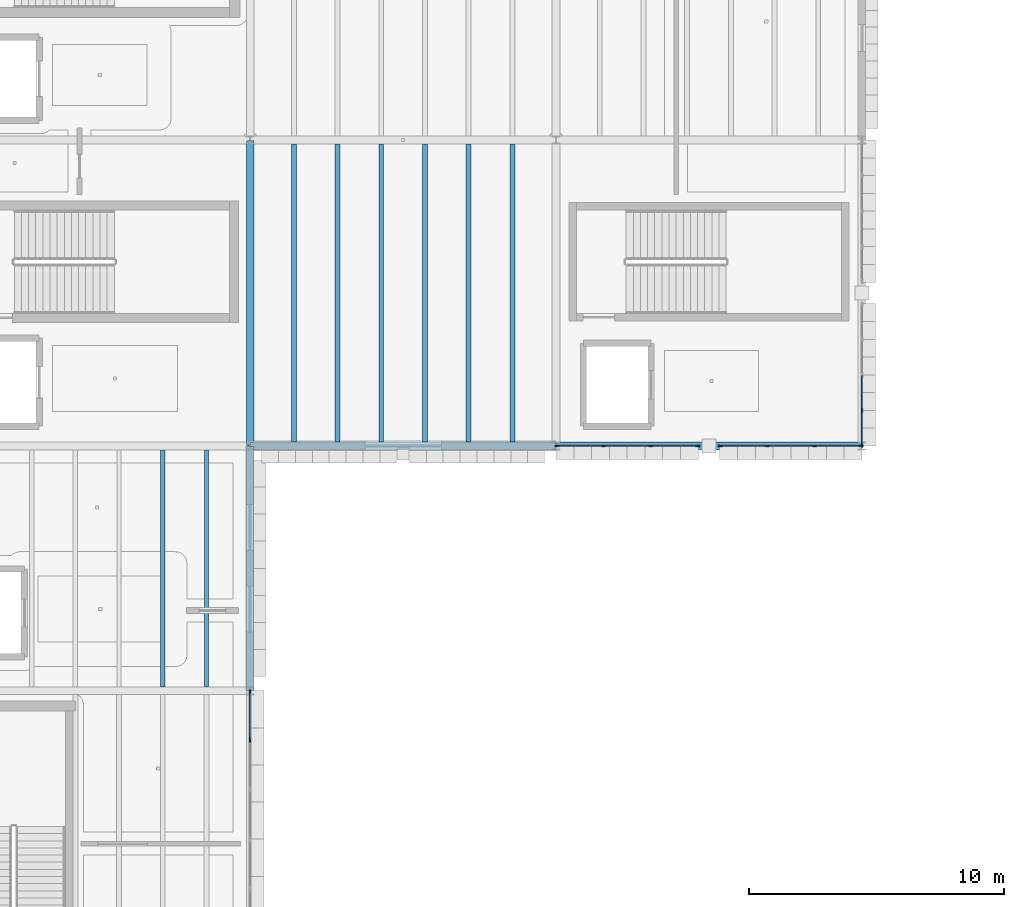
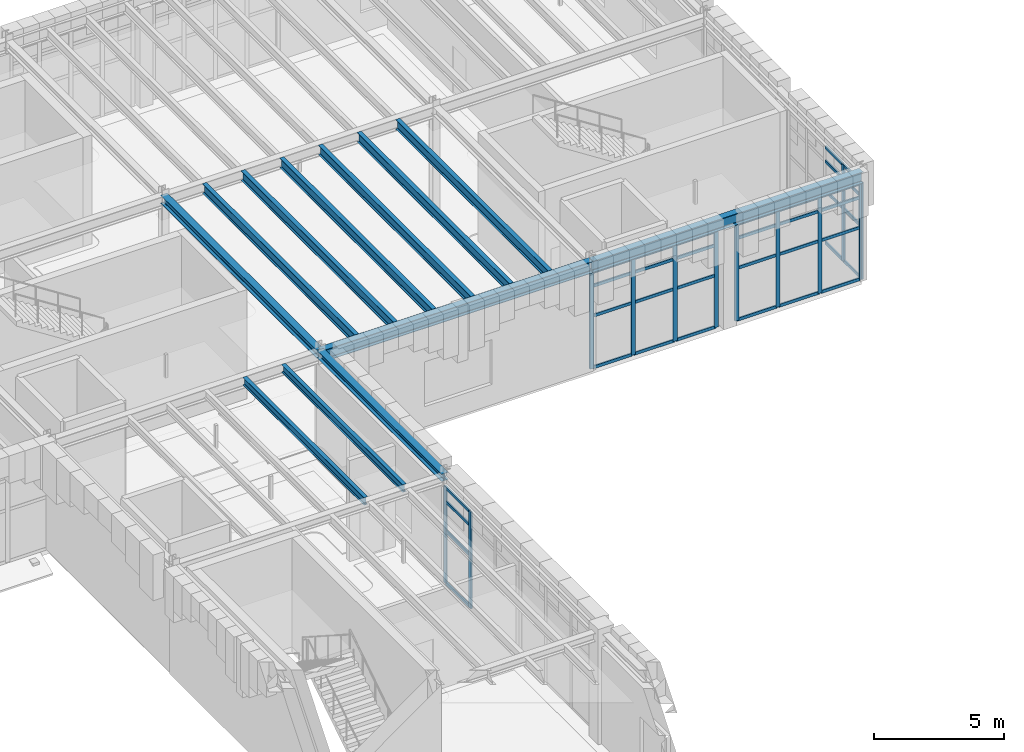
# One storey, part 41 of 100: 48 members, 12 beams, 4 elements without a shape of their own.
"""IFC4 building model written with IfcOpenShell, lengths in metres."""

from ifc_helpers import new_model, si_unit, direction, frame, origin, origin_2d, place, context, subcontext, project, spatial, rectangle, i_section, extrude, material, layer, layer_set, material_profile, profile_set, type_object, element, aggregate, save


model = new_model("IFC4")

# Units and contexts
model_context = context("Model", 3, precision=1e-05, world=origin(), true_north=direction((0.0, 1.0)))
body_context = subcontext(model_context, "Body", "Model", "MODEL_VIEW")
ifc_project = project(units=[si_unit("LENGTHUNIT", "METRE"), si_unit("AREAUNIT", "SQUARE_METRE"), si_unit("VOLUMEUNIT", "CUBIC_METRE"), si_unit("PLANEANGLEUNIT", "RADIAN"), si_unit("MASSUNIT", "GRAM", prefix="KILO")], contexts=[model_context])

# Site, building, storey
site_placement = place(None, origin())
site = spatial("IfcSite", under=ifc_project, at=site_placement, CompositionType="ELEMENT")
building_placement = place(site_placement, origin())
building = spatial("IfcBuilding", under=site, at=building_placement, Name="Zlatogorsky Bluff Art Gallery", CompositionType="ELEMENT")
storey_placement = place(building_placement, frame((0.0, 0.0, 5.39990234375)))
storey = spatial("IfcBuildingStorey", under=building, at=storey_placement, Name="L01", CompositionType="ELEMENT", Elevation=5.39990234375)

# Beams
ifc_material_1 = material(Name="Steel S355", Category="steel")
ifc_material_profile_1 = material_profile(ifc_material_1, i_section(OverallWidth=0.300048828125, OverallDepth=0.5400390625, WebThickness=0.012451171875, FlangeThickness=0.02392578125, FilletRadius=0.027099609375, at=origin_2d()), Name="HEA 550")
ifc_profile_set_1 = profile_set([ifc_material_profile_1], Name="Steel S355")
beam_type_1 = type_object("IfcBeamType", Name="Beam BM-06 HEA 550", PredefinedType="BEAM", material=ifc_profile_set_1)
for number, where, z_axis, x_axis, name in (
    (1, (132.014892578125, 84.0, 4.840087890625), (1.0, 0.0, 0.0), (0.0, 1.0, 0.0), "Primary girder BM-06 L01 M-N/9"),
    (2, (144.014892578125, 84.0, 4.840087890625), (1.0, 0.0, 0.0), (0.0, 1.0, 0.0), "Primary girder BM-06 L01 N-P/9"),
):
    element("IfcBeam", number, at=place(storey_placement, frame(where, z_axis=z_axis, x_axis=x_axis)), inside=storey, type_object=beam_type_1, Name=name, PredefinedType="BEAM", context=body_context, shape_type="SweptSolid", body=[
        extrude(i_section(OverallWidth=0.300048828125, OverallDepth=0.5400390625, WebThickness=0.012451171875, FlangeThickness=0.02392578125, FilletRadius=0.027099609375, at=origin_2d()), origin(), (0.0, 0.0, 1.0), 11.97021484375),
    ])
ifc_material_profile_2 = material_profile(ifc_material_1, i_section(OverallWidth=0.300048828125, OverallDepth=0.389892578125, WebThickness=0.010986328125, FlangeThickness=0.01904296875, FilletRadius=0.027099609375, at=origin_2d()), Name="HEA 400")
ifc_profile_set_2 = profile_set([ifc_material_profile_2], Name="Steel S355")
beam_type_2 = type_object("IfcBeamType", Name="Beam BM-09 HEA 400", PredefinedType="BEAM", material=ifc_profile_set_2)
beam_1_placement = place(storey_placement, frame((132.0, 84.014892578125, 4.9150390625), z_axis=(0.0, 1.0, 0.0), x_axis=(-1.0, 0.0, 0.0)))
element("IfcBeam", 3, at=beam_1_placement, inside=storey, type_object=beam_type_2, Name="Primary girder BM-09 L01 M/9-10", PredefinedType="BEAM", context=body_context, shape_type="SweptSolid", body=[
    extrude(i_section(OverallWidth=0.300048828125, OverallDepth=0.389892578125, WebThickness=0.010986328125, FlangeThickness=0.01904296875, FilletRadius=0.027099609375, at=origin_2d()), origin(), (0.0, 0.0, 1.0), 11.97021484375),
])
ifc_material_profile_3 = material_profile(ifc_material_1, i_section(OverallWidth=0.300048828125, OverallDepth=0.35009765625, WebThickness=0.010009765625, FlangeThickness=0.017578125, FilletRadius=0.027099609375, at=origin_2d()), Name="HEA 360")
ifc_profile_set_3 = profile_set([ifc_material_profile_3], Name="Steel S355")
beam_type_3 = type_object("IfcBeamType", Name="Beam BM-10 HEA 360", PredefinedType="BEAM", material=ifc_profile_set_3)
beam_2_placement = place(storey_placement, frame((132.0, 74.4150390625, 4.93505859375), z_axis=(0.0, 1.0, 0.0), x_axis=(-1.0, 0.0, 0.0)))
element("IfcBeam", 4, at=beam_2_placement, inside=storey, type_object=beam_type_3, Name="Primary girder BM-10 L01 M/8-9", PredefinedType="BEAM", context=body_context, shape_type="SweptSolid", body=[
    extrude(i_section(OverallWidth=0.300048828125, OverallDepth=0.35009765625, WebThickness=0.010009765625, FlangeThickness=0.017578125, FilletRadius=0.027099609375, at=origin_2d()), origin(), (0.0, 0.0, 1.0), 9.570068359375),
])
ifc_material_profile_4 = material_profile(ifc_material_1, i_section(OverallWidth=0.169921875, OverallDepth=0.360107421875, WebThickness=0.008056640625, FlangeThickness=0.0126953125, FilletRadius=0.01806640625, at=origin_2d()), Name="IPE 360")
ifc_profile_set_4 = profile_set([ifc_material_profile_4], Name="Steel S355")
beam_type_4 = type_object("IfcBeamType", Name="Beam JS-04 IPE 360", PredefinedType="JOIST", material=ifc_profile_set_4)
for number, where, z_axis, x_axis, name in (
    (5, (128.571533203125, 74.550048828125, 4.93017578125), (0.0, 1.0, 0.0), (-1.0, 0.0, 0.0), "Composite floor joist JS-04 L01 10.07.5"),
    (6, (130.28564453125, 74.550048828125, 4.93017578125), (0.0, 1.0, 0.0), (-1.0, 0.0, 0.0), "Composite floor joist JS-04 L01 10.07.6"),
):
    element("IfcBeam", number, at=place(storey_placement, frame(where, z_axis=z_axis, x_axis=x_axis)), inside=storey, type_object=beam_type_4, Name=name, PredefinedType="JOIST", context=body_context, shape_type="SweptSolid", body=[
        extrude(i_section(OverallWidth=0.169921875, OverallDepth=0.360107421875, WebThickness=0.008056640625, FlangeThickness=0.0126953125, FilletRadius=0.01806640625, at=origin_2d()), origin(), (0.0, 0.0, 1.0), 9.300048828125),
    ])
ifc_material_profile_5 = material_profile(ifc_material_1, i_section(OverallWidth=0.18994140625, OverallDepth=0.449951171875, WebThickness=0.009521484375, FlangeThickness=0.0146484375, FilletRadius=0.02099609375, at=origin_2d()), Name="IPE 450")
ifc_profile_set_5 = profile_set([ifc_material_profile_5], Name="Steel S355")
beam_type_5 = type_object("IfcBeamType", Name="Beam JS-06 IPE 450", PredefinedType="JOIST", material=ifc_profile_set_5)
for number, where, z_axis, x_axis, name in (
    (7, (133.71435546875, 84.14990234375, 4.885009765625), (0.0, 1.0, 0.0), (-1.0, 0.0, 0.0), "Composite floor joist JS-06 L01 11.08.1"),
    (8, (135.428466796875, 84.14990234375, 4.885009765625), (0.0, 1.0, 0.0), (-1.0, 0.0, 0.0), "Composite floor joist JS-06 L01 11.08.2"),
    (9, (137.142822265625, 84.14990234375, 4.885009765625), (0.0, 1.0, 0.0), (-1.0, 0.0, 0.0), "Composite floor joist JS-06 L01 11.08.3"),
    (10, (138.857177734375, 84.14990234375, 4.885009765625), (0.0, 1.0, 0.0), (-1.0, 0.0, 0.0), "Composite floor joist JS-06 L01 11.08.4"),
    (11, (140.571533203125, 84.14990234375, 4.885009765625), (0.0, 1.0, 0.0), (-1.0, 0.0, 0.0), "Composite floor joist JS-06 L01 11.08.5"),
    (12, (142.28564453125, 84.14990234375, 4.885009765625), (0.0, 1.0, 0.0), (-1.0, 0.0, 0.0), "Composite floor joist JS-06 L01 11.08.6"),
):
    element("IfcBeam", number, at=place(storey_placement, frame(where, z_axis=z_axis, x_axis=x_axis)), inside=storey, type_object=beam_type_5, Name=name, PredefinedType="JOIST", context=body_context, shape_type="SweptSolid", body=[
        extrude(i_section(OverallWidth=0.18994140625, OverallDepth=0.449951171875, WebThickness=0.009521484375, FlangeThickness=0.0146484375, FilletRadius=0.02099609375, at=origin_2d()), origin(), (0.0, 0.0, 1.0), 11.7001953125),
    ])

# Curtain wall, members
ifc_material_2 = material(Name="Anodised Bronze Aluminium and Low-Iron Triple Glazing", Category="aluminium")
ifc_layer_1 = layer(ifc_material_2, 0.219970703125)
ifc_layer_set_1 = layer_set([ifc_layer_1], Name="Curtain Wall CW-04")
curtain_wall_type_1 = type_object("IfcCurtainWallType", Name="Curtain Wall CW-04", PredefinedType="USERDEFINED", material=ifc_layer_set_1)
curtain_wall_1_placement = place(storey_placement, origin())
curtain_wall_1 = element("IfcCurtainWall", 13, at=curtain_wall_1_placement, inside=storey, type_object=curtain_wall_type_1, Name="Unitised curtain wall CW-04 L01 E 10.6", ObjectType="CURTAIN WALL", PredefinedType="USERDEFINED")
ifc_material_3 = material(Name="Anodised Bronze Aluminium", Category="aluminium")
ifc_material_profile_6 = material_profile(ifc_material_3, rectangle(XDim=0.06494140625, YDim=0.179931640625, at=origin_2d()), Name="ALU MULLION 65x180")
ifc_profile_set_6 = profile_set([ifc_material_profile_6], Name="Anodised Bronze Aluminium")
member_type_1 = type_object("IfcMemberType", Name="Curtain Mullion ML-01", PredefinedType="MULLION", material=ifc_profile_set_6)
member_1_placement = place(storey_placement, frame((132.0, 72.45751953125, 0.0), z_axis=(0.0, 0.0, 1.0), x_axis=(-1.0, 0.0, 0.0)))
member_1 = element("IfcMember", 14, at=member_1_placement, type_object=member_type_1, Name="CW-04 mullion 6", PredefinedType="MULLION", context=body_context, shape_type="SweptSolid", body=[
    extrude(rectangle(XDim=0.06494140625, YDim=0.179931640625, at=origin_2d()), origin(), (0.0, 0.0, 1.0), 4.530029296875),
])
member_2_placement = place(storey_placement, frame((132.0, 74.367431640625, 0.0), z_axis=(0.0, 0.0, 1.0), x_axis=(-1.0, 0.0, 0.0)))
member_2 = element("IfcMember", 15, at=member_2_placement, type_object=member_type_1, Name="CW-04 mullion 7", PredefinedType="MULLION", context=body_context, shape_type="SweptSolid", body=[
    extrude(rectangle(XDim=0.06494140625, YDim=0.179931640625, at=origin_2d()), origin(), (0.0, 0.0, 1.0), 4.530029296875),
])

curtain_wall_2_placement = place(storey_placement, origin())
curtain_wall_2 = element("IfcCurtainWall", 16, at=curtain_wall_2_placement, inside=storey, type_object=curtain_wall_type_1, Name="Unitised curtain wall CW-04 L01 S 12.8-A", ObjectType="CURTAIN WALL", PredefinedType="USERDEFINED")
member_3_placement = place(storey_placement, frame((144.032470703125, 84.0, 0.0), z_axis=(0.0, 0.0, 1.0), x_axis=(0.0, 1.0, 0.0)))
member_3 = element("IfcMember", 17, at=member_3_placement, type_object=member_type_1, Name="CW-04 mullion 1", PredefinedType="MULLION", context=body_context, shape_type="SweptSolid", body=[
    extrude(rectangle(XDim=0.06494140625, YDim=0.179931640625, at=origin_2d()), origin(), (0.0, 0.0, 1.0), 4.530029296875),
])
member_4_placement = place(storey_placement, frame((145.860107421875, 84.0, 0.0), z_axis=(0.0, 0.0, 1.0), x_axis=(0.0, 1.0, 0.0)))
member_4 = element("IfcMember", 18, at=member_4_placement, type_object=member_type_1, Name="CW-04 mullion 2", PredefinedType="MULLION", context=body_context, shape_type="SweptSolid", body=[
    extrude(rectangle(XDim=0.06494140625, YDim=0.179931640625, at=origin_2d()), origin(), (0.0, 0.0, 1.0), 4.530029296875),
])
member_5_placement = place(storey_placement, frame((147.719970703125, 84.0, 0.0), z_axis=(0.0, 0.0, 1.0), x_axis=(0.0, 1.0, 0.0)))
member_5 = element("IfcMember", 19, at=member_5_placement, type_object=member_type_1, Name="CW-04 mullion 3", PredefinedType="MULLION", context=body_context, shape_type="SweptSolid", body=[
    extrude(rectangle(XDim=0.06494140625, YDim=0.179931640625, at=origin_2d()), origin(), (0.0, 0.0, 1.0), 4.530029296875),
])
member_6_placement = place(storey_placement, frame((149.547607421875, 84.0, 0.0), z_axis=(0.0, 0.0, 1.0), x_axis=(0.0, 1.0, 0.0)))
member_6 = element("IfcMember", 20, at=member_6_placement, type_object=member_type_1, Name="CW-04 mullion 4", PredefinedType="MULLION", context=body_context, shape_type="SweptSolid", body=[
    extrude(rectangle(XDim=0.06494140625, YDim=0.179931640625, at=origin_2d()), origin(), (0.0, 0.0, 1.0), 4.530029296875),
])

curtain_wall_3_placement = place(storey_placement, origin())
curtain_wall_3 = element("IfcCurtainWall", 21, at=curtain_wall_3_placement, inside=storey, type_object=curtain_wall_type_1, Name="Unitised curtain wall CW-04 L01 S 12.8-B", ObjectType="CURTAIN WALL", PredefinedType="USERDEFINED")
member_7_placement = place(storey_placement, frame((150.452392578125, 84.0, 0.0), z_axis=(0.0, 0.0, 1.0), x_axis=(0.0, 1.0, 0.0)))
member_7 = element("IfcMember", 22, at=member_7_placement, type_object=member_type_1, Name="CW-04 mullion 1", PredefinedType="MULLION", context=body_context, shape_type="SweptSolid", body=[
    extrude(rectangle(XDim=0.06494140625, YDim=0.179931640625, at=origin_2d()), origin(), (0.0, 0.0, 1.0), 4.530029296875),
])
member_8_placement = place(storey_placement, frame((152.280029296875, 84.0, 0.0), z_axis=(0.0, 0.0, 1.0), x_axis=(0.0, 1.0, 0.0)))
member_8 = element("IfcMember", 23, at=member_8_placement, type_object=member_type_1, Name="CW-04 mullion 2", PredefinedType="MULLION", context=body_context, shape_type="SweptSolid", body=[
    extrude(rectangle(XDim=0.06494140625, YDim=0.179931640625, at=origin_2d()), origin(), (0.0, 0.0, 1.0), 4.530029296875),
])
member_9_placement = place(storey_placement, frame((154.139892578125, 84.0, 0.0), z_axis=(0.0, 0.0, 1.0), x_axis=(0.0, 1.0, 0.0)))
member_9 = element("IfcMember", 24, at=member_9_placement, type_object=member_type_1, Name="CW-04 mullion 3", PredefinedType="MULLION", context=body_context, shape_type="SweptSolid", body=[
    extrude(rectangle(XDim=0.06494140625, YDim=0.179931640625, at=origin_2d()), origin(), (0.0, 0.0, 1.0), 4.530029296875),
])
member_10_placement = place(storey_placement, frame((155.967529296875, 84.0, 0.0), z_axis=(0.0, 0.0, 1.0), x_axis=(0.0, 1.0, 0.0)))
member_10 = element("IfcMember", 25, at=member_10_placement, type_object=member_type_1, Name="CW-04 mullion 4", PredefinedType="MULLION", context=body_context, shape_type="SweptSolid", body=[
    extrude(rectangle(XDim=0.06494140625, YDim=0.179931640625, at=origin_2d()), origin(), (0.0, 0.0, 1.0), 4.530029296875),
])

ifc_layer_2 = layer(ifc_material_2, 0.199951171875)
ifc_layer_set_2 = layer_set([ifc_layer_2], Name="Curtain Wall CW-02")
curtain_wall_type_2 = type_object("IfcCurtainWallType", Name="Curtain Wall CW-02", PredefinedType="USERDEFINED", material=ifc_layer_set_2)
curtain_wall_4_placement = place(storey_placement, origin())
curtain_wall_4 = element("IfcCurtainWall", 26, at=curtain_wall_4_placement, inside=storey, type_object=curtain_wall_type_2, Name="Unitised curtain wall CW-02 L01 E 12.8-A", ObjectType="CURTAIN WALL", PredefinedType="USERDEFINED")
member_11_placement = place(storey_placement, frame((156.0, 84.032470703125, 0.0), z_axis=(0.0, 0.0, 1.0), x_axis=(-1.0, 0.0, 0.0)))
member_11 = element("IfcMember", 27, at=member_11_placement, type_object=member_type_1, Name="CW-02 mullion 1", PredefinedType="MULLION", context=body_context, shape_type="SweptSolid", body=[
    extrude(rectangle(XDim=0.06494140625, YDim=0.179931640625, at=origin_2d()), origin(), (0.0, 0.0, 1.0), 4.530029296875),
])
member_12_placement = place(storey_placement, frame((156.0, 85.39501953125, 0.0), z_axis=(0.0, 0.0, 1.0), x_axis=(-1.0, 0.0, 0.0)))
member_12 = element("IfcMember", 28, at=member_12_placement, type_object=member_type_1, Name="CW-02 mullion 2", PredefinedType="MULLION", context=body_context, shape_type="SweptSolid", body=[
    extrude(rectangle(XDim=0.06494140625, YDim=0.179931640625, at=origin_2d()), origin(), (0.0, 0.0, 1.0), 4.530029296875),
])

# Member
ifc_material_profile_7 = material_profile(ifc_material_3, rectangle(XDim=0.06494140625, YDim=0.139892578125, at=origin_2d()), Name="ALU TRANSOM 65x140")
ifc_profile_set_7 = profile_set([ifc_material_profile_7], Name="Anodised Bronze Aluminium")
member_type_2 = type_object("IfcMemberType", Name="Curtain Transom TR-01", PredefinedType="USERDEFINED", material=ifc_profile_set_7)
member_13_placement = place(storey_placement, frame((132.0, 72.489990234375, 0.03271484375), z_axis=(0.0, 1.0, 0.0), x_axis=(-1.0, 0.0, 0.0)))
member_13 = element("IfcMember", 29, at=member_13_placement, type_object=member_type_2, Name="CW-04 transom 6.1", ObjectType="TRANSOM", PredefinedType="USERDEFINED", context=body_context, shape_type="SweptSolid", body=[
    extrude(rectangle(XDim=0.06494140625, YDim=0.139892578125, at=origin_2d()), origin(), (0.0, 0.0, 1.0), 1.844970703125),
])

member_14_placement = place(storey_placement, frame((132.0, 72.489990234375, 2.4501953125), z_axis=(0.0, 1.0, 0.0), x_axis=(-1.0, 0.0, 0.0)))
member_14 = element("IfcMember", 30, at=member_14_placement, type_object=member_type_2, Name="CW-04 transom 6.2", ObjectType="TRANSOM", PredefinedType="USERDEFINED", context=body_context, shape_type="SweptSolid", body=[
    extrude(rectangle(XDim=0.06494140625, YDim=0.139892578125, at=origin_2d()), origin(), (0.0, 0.0, 1.0), 1.844970703125),
])

member_15_placement = place(storey_placement, frame((132.0, 72.489990234375, 3.85009765625), z_axis=(0.0, 1.0, 0.0), x_axis=(-1.0, 0.0, 0.0)))
member_15 = element("IfcMember", 31, at=member_15_placement, type_object=member_type_2, Name="CW-04 transom 6.3", ObjectType="TRANSOM", PredefinedType="USERDEFINED", context=body_context, shape_type="SweptSolid", body=[
    extrude(rectangle(XDim=0.06494140625, YDim=0.139892578125, at=origin_2d()), origin(), (0.0, 0.0, 1.0), 1.844970703125),
])

member_16_placement = place(storey_placement, frame((132.0, 72.489990234375, 4.49755859375), z_axis=(0.0, 1.0, 0.0), x_axis=(-1.0, 0.0, 0.0)))
member_16 = element("IfcMember", 32, at=member_16_placement, type_object=member_type_2, Name="CW-04 transom 6.4", ObjectType="TRANSOM", PredefinedType="USERDEFINED", context=body_context, shape_type="SweptSolid", body=[
    extrude(rectangle(XDim=0.06494140625, YDim=0.139892578125, at=origin_2d()), origin(), (0.0, 0.0, 1.0), 1.844970703125),
])

aggregate(curtain_wall_1, [member_1, member_2, member_13, member_14, member_15, member_16])

member_17_placement = place(storey_placement, frame((144.06494140625, 84.0, 0.03271484375), z_axis=(1.0, 0.0, 0.0), x_axis=(0.0, 1.0, 0.0)))
member_17 = element("IfcMember", 33, at=member_17_placement, type_object=member_type_2, Name="CW-04 transom 1.1", ObjectType="TRANSOM", PredefinedType="USERDEFINED", context=body_context, shape_type="SweptSolid", body=[
    extrude(rectangle(XDim=0.06494140625, YDim=0.139892578125, at=origin_2d()), origin(), (0.0, 0.0, 1.0), 1.762451171875),
])

member_18_placement = place(storey_placement, frame((144.06494140625, 84.0, 2.4501953125), z_axis=(1.0, 0.0, 0.0), x_axis=(0.0, 1.0, 0.0)))
member_18 = element("IfcMember", 34, at=member_18_placement, type_object=member_type_2, Name="CW-04 transom 1.2", ObjectType="TRANSOM", PredefinedType="USERDEFINED", context=body_context, shape_type="SweptSolid", body=[
    extrude(rectangle(XDim=0.06494140625, YDim=0.139892578125, at=origin_2d()), origin(), (0.0, 0.0, 1.0), 1.762451171875),
])

member_19_placement = place(storey_placement, frame((144.06494140625, 84.0, 3.85009765625), z_axis=(1.0, 0.0, 0.0), x_axis=(0.0, 1.0, 0.0)))
member_19 = element("IfcMember", 35, at=member_19_placement, type_object=member_type_2, Name="CW-04 transom 1.3", ObjectType="TRANSOM", PredefinedType="USERDEFINED", context=body_context, shape_type="SweptSolid", body=[
    extrude(rectangle(XDim=0.06494140625, YDim=0.139892578125, at=origin_2d()), origin(), (0.0, 0.0, 1.0), 1.762451171875),
])

member_20_placement = place(storey_placement, frame((144.06494140625, 84.0, 4.49755859375), z_axis=(1.0, 0.0, 0.0), x_axis=(0.0, 1.0, 0.0)))
member_20 = element("IfcMember", 36, at=member_20_placement, type_object=member_type_2, Name="CW-04 transom 1.4", ObjectType="TRANSOM", PredefinedType="USERDEFINED", context=body_context, shape_type="SweptSolid", body=[
    extrude(rectangle(XDim=0.06494140625, YDim=0.139892578125, at=origin_2d()), origin(), (0.0, 0.0, 1.0), 1.762451171875),
])

member_21_placement = place(storey_placement, frame((145.892578125, 84.0, 0.03271484375), z_axis=(1.0, 0.0, 0.0), x_axis=(0.0, 1.0, 0.0)))
member_21 = element("IfcMember", 37, at=member_21_placement, type_object=member_type_2, Name="CW-04 transom 2.1", ObjectType="TRANSOM", PredefinedType="USERDEFINED", context=body_context, shape_type="SweptSolid", body=[
    extrude(rectangle(XDim=0.06494140625, YDim=0.139892578125, at=origin_2d()), origin(), (0.0, 0.0, 1.0), 1.794921875),
])

member_22_placement = place(storey_placement, frame((145.892578125, 84.0, 2.4501953125), z_axis=(1.0, 0.0, 0.0), x_axis=(0.0, 1.0, 0.0)))
member_22 = element("IfcMember", 38, at=member_22_placement, type_object=member_type_2, Name="CW-04 transom 2.2", ObjectType="TRANSOM", PredefinedType="USERDEFINED", context=body_context, shape_type="SweptSolid", body=[
    extrude(rectangle(XDim=0.06494140625, YDim=0.139892578125, at=origin_2d()), origin(), (0.0, 0.0, 1.0), 1.794921875),
])

member_23_placement = place(storey_placement, frame((145.892578125, 84.0, 3.85009765625), z_axis=(1.0, 0.0, 0.0), x_axis=(0.0, 1.0, 0.0)))
member_23 = element("IfcMember", 39, at=member_23_placement, type_object=member_type_2, Name="CW-04 transom 2.3", ObjectType="TRANSOM", PredefinedType="USERDEFINED", context=body_context, shape_type="SweptSolid", body=[
    extrude(rectangle(XDim=0.06494140625, YDim=0.139892578125, at=origin_2d()), origin(), (0.0, 0.0, 1.0), 1.794921875),
])

member_24_placement = place(storey_placement, frame((145.892578125, 84.0, 4.49755859375), z_axis=(1.0, 0.0, 0.0), x_axis=(0.0, 1.0, 0.0)))
member_24 = element("IfcMember", 40, at=member_24_placement, type_object=member_type_2, Name="CW-04 transom 2.4", ObjectType="TRANSOM", PredefinedType="USERDEFINED", context=body_context, shape_type="SweptSolid", body=[
    extrude(rectangle(XDim=0.06494140625, YDim=0.139892578125, at=origin_2d()), origin(), (0.0, 0.0, 1.0), 1.794921875),
])

member_25_placement = place(storey_placement, frame((147.75244140625, 84.0, 0.03271484375), z_axis=(1.0, 0.0, 0.0), x_axis=(0.0, 1.0, 0.0)))
member_25 = element("IfcMember", 41, at=member_25_placement, type_object=member_type_2, Name="CW-04 transom 3.1", ObjectType="TRANSOM", PredefinedType="USERDEFINED", context=body_context, shape_type="SweptSolid", body=[
    extrude(rectangle(XDim=0.06494140625, YDim=0.139892578125, at=origin_2d()), origin(), (0.0, 0.0, 1.0), 1.762451171875),
])

member_26_placement = place(storey_placement, frame((147.75244140625, 84.0, 2.4501953125), z_axis=(1.0, 0.0, 0.0), x_axis=(0.0, 1.0, 0.0)))
member_26 = element("IfcMember", 42, at=member_26_placement, type_object=member_type_2, Name="CW-04 transom 3.2", ObjectType="TRANSOM", PredefinedType="USERDEFINED", context=body_context, shape_type="SweptSolid", body=[
    extrude(rectangle(XDim=0.06494140625, YDim=0.139892578125, at=origin_2d()), origin(), (0.0, 0.0, 1.0), 1.762451171875),
])

member_27_placement = place(storey_placement, frame((147.75244140625, 84.0, 3.85009765625), z_axis=(1.0, 0.0, 0.0), x_axis=(0.0, 1.0, 0.0)))
member_27 = element("IfcMember", 43, at=member_27_placement, type_object=member_type_2, Name="CW-04 transom 3.3", ObjectType="TRANSOM", PredefinedType="USERDEFINED", context=body_context, shape_type="SweptSolid", body=[
    extrude(rectangle(XDim=0.06494140625, YDim=0.139892578125, at=origin_2d()), origin(), (0.0, 0.0, 1.0), 1.762451171875),
])

member_28_placement = place(storey_placement, frame((147.75244140625, 84.0, 4.49755859375), z_axis=(1.0, 0.0, 0.0), x_axis=(0.0, 1.0, 0.0)))
member_28 = element("IfcMember", 44, at=member_28_placement, type_object=member_type_2, Name="CW-04 transom 3.4", ObjectType="TRANSOM", PredefinedType="USERDEFINED", context=body_context, shape_type="SweptSolid", body=[
    extrude(rectangle(XDim=0.06494140625, YDim=0.139892578125, at=origin_2d()), origin(), (0.0, 0.0, 1.0), 1.762451171875),
])

aggregate(curtain_wall_2, [member_3, member_4, member_5, member_6, member_17, member_18, member_19, member_20, member_21, member_22, member_23, member_24, member_25, member_26, member_27, member_28])

member_29_placement = place(storey_placement, frame((150.485107421875, 84.0, 0.03271484375), z_axis=(1.0, 0.0, 0.0), x_axis=(0.0, 1.0, 0.0)))
member_29 = element("IfcMember", 45, at=member_29_placement, type_object=member_type_2, Name="CW-04 transom 1.1", ObjectType="TRANSOM", PredefinedType="USERDEFINED", context=body_context, shape_type="SweptSolid", body=[
    extrude(rectangle(XDim=0.06494140625, YDim=0.139892578125, at=origin_2d()), origin(), (0.0, 0.0, 1.0), 1.762451171875),
])

member_30_placement = place(storey_placement, frame((150.485107421875, 84.0, 2.4501953125), z_axis=(1.0, 0.0, 0.0), x_axis=(0.0, 1.0, 0.0)))
member_30 = element("IfcMember", 46, at=member_30_placement, type_object=member_type_2, Name="CW-04 transom 1.2", ObjectType="TRANSOM", PredefinedType="USERDEFINED", context=body_context, shape_type="SweptSolid", body=[
    extrude(rectangle(XDim=0.06494140625, YDim=0.139892578125, at=origin_2d()), origin(), (0.0, 0.0, 1.0), 1.762451171875),
])

member_31_placement = place(storey_placement, frame((150.485107421875, 84.0, 3.85009765625), z_axis=(1.0, 0.0, 0.0), x_axis=(0.0, 1.0, 0.0)))
member_31 = element("IfcMember", 47, at=member_31_placement, type_object=member_type_2, Name="CW-04 transom 1.3", ObjectType="TRANSOM", PredefinedType="USERDEFINED", context=body_context, shape_type="SweptSolid", body=[
    extrude(rectangle(XDim=0.06494140625, YDim=0.139892578125, at=origin_2d()), origin(), (0.0, 0.0, 1.0), 1.762451171875),
])

member_32_placement = place(storey_placement, frame((150.485107421875, 84.0, 4.49755859375), z_axis=(1.0, 0.0, 0.0), x_axis=(0.0, 1.0, 0.0)))
member_32 = element("IfcMember", 48, at=member_32_placement, type_object=member_type_2, Name="CW-04 transom 1.4", ObjectType="TRANSOM", PredefinedType="USERDEFINED", context=body_context, shape_type="SweptSolid", body=[
    extrude(rectangle(XDim=0.06494140625, YDim=0.139892578125, at=origin_2d()), origin(), (0.0, 0.0, 1.0), 1.762451171875),
])

member_33_placement = place(storey_placement, frame((152.3125, 84.0, 0.03271484375), z_axis=(1.0, 0.0, 0.0), x_axis=(0.0, 1.0, 0.0)))
member_33 = element("IfcMember", 49, at=member_33_placement, type_object=member_type_2, Name="CW-04 transom 2.1", ObjectType="TRANSOM", PredefinedType="USERDEFINED", context=body_context, shape_type="SweptSolid", body=[
    extrude(rectangle(XDim=0.06494140625, YDim=0.139892578125, at=origin_2d()), origin(), (0.0, 0.0, 1.0), 1.794921875),
])

member_34_placement = place(storey_placement, frame((152.3125, 84.0, 2.4501953125), z_axis=(1.0, 0.0, 0.0), x_axis=(0.0, 1.0, 0.0)))
member_34 = element("IfcMember", 50, at=member_34_placement, type_object=member_type_2, Name="CW-04 transom 2.2", ObjectType="TRANSOM", PredefinedType="USERDEFINED", context=body_context, shape_type="SweptSolid", body=[
    extrude(rectangle(XDim=0.06494140625, YDim=0.139892578125, at=origin_2d()), origin(), (0.0, 0.0, 1.0), 1.794921875),
])

member_35_placement = place(storey_placement, frame((152.3125, 84.0, 3.85009765625), z_axis=(1.0, 0.0, 0.0), x_axis=(0.0, 1.0, 0.0)))
member_35 = element("IfcMember", 51, at=member_35_placement, type_object=member_type_2, Name="CW-04 transom 2.3", ObjectType="TRANSOM", PredefinedType="USERDEFINED", context=body_context, shape_type="SweptSolid", body=[
    extrude(rectangle(XDim=0.06494140625, YDim=0.139892578125, at=origin_2d()), origin(), (0.0, 0.0, 1.0), 1.794921875),
])

member_36_placement = place(storey_placement, frame((152.3125, 84.0, 4.49755859375), z_axis=(1.0, 0.0, 0.0), x_axis=(0.0, 1.0, 0.0)))
member_36 = element("IfcMember", 52, at=member_36_placement, type_object=member_type_2, Name="CW-04 transom 2.4", ObjectType="TRANSOM", PredefinedType="USERDEFINED", context=body_context, shape_type="SweptSolid", body=[
    extrude(rectangle(XDim=0.06494140625, YDim=0.139892578125, at=origin_2d()), origin(), (0.0, 0.0, 1.0), 1.794921875),
])

member_37_placement = place(storey_placement, frame((154.172607421875, 84.0, 0.03271484375), z_axis=(1.0, 0.0, 0.0), x_axis=(0.0, 1.0, 0.0)))
member_37 = element("IfcMember", 53, at=member_37_placement, type_object=member_type_2, Name="CW-04 transom 3.1", ObjectType="TRANSOM", PredefinedType="USERDEFINED", context=body_context, shape_type="SweptSolid", body=[
    extrude(rectangle(XDim=0.06494140625, YDim=0.139892578125, at=origin_2d()), origin(), (0.0, 0.0, 1.0), 1.762451171875),
])

member_38_placement = place(storey_placement, frame((154.172607421875, 84.0, 2.4501953125), z_axis=(1.0, 0.0, 0.0), x_axis=(0.0, 1.0, 0.0)))
member_38 = element("IfcMember", 54, at=member_38_placement, type_object=member_type_2, Name="CW-04 transom 3.2", ObjectType="TRANSOM", PredefinedType="USERDEFINED", context=body_context, shape_type="SweptSolid", body=[
    extrude(rectangle(XDim=0.06494140625, YDim=0.139892578125, at=origin_2d()), origin(), (0.0, 0.0, 1.0), 1.762451171875),
])

member_39_placement = place(storey_placement, frame((154.172607421875, 84.0, 3.85009765625), z_axis=(1.0, 0.0, 0.0), x_axis=(0.0, 1.0, 0.0)))
member_39 = element("IfcMember", 55, at=member_39_placement, type_object=member_type_2, Name="CW-04 transom 3.3", ObjectType="TRANSOM", PredefinedType="USERDEFINED", context=body_context, shape_type="SweptSolid", body=[
    extrude(rectangle(XDim=0.06494140625, YDim=0.139892578125, at=origin_2d()), origin(), (0.0, 0.0, 1.0), 1.762451171875),
])

member_40_placement = place(storey_placement, frame((154.172607421875, 84.0, 4.49755859375), z_axis=(1.0, 0.0, 0.0), x_axis=(0.0, 1.0, 0.0)))
member_40 = element("IfcMember", 56, at=member_40_placement, type_object=member_type_2, Name="CW-04 transom 3.4", ObjectType="TRANSOM", PredefinedType="USERDEFINED", context=body_context, shape_type="SweptSolid", body=[
    extrude(rectangle(XDim=0.06494140625, YDim=0.139892578125, at=origin_2d()), origin(), (0.0, 0.0, 1.0), 1.762451171875),
])

aggregate(curtain_wall_3, [member_7, member_8, member_9, member_10, member_29, member_30, member_31, member_32, member_33, member_34, member_35, member_36, member_37, member_38, member_39, member_40])

member_41_placement = place(storey_placement, frame((156.0, 84.06494140625, 0.03271484375), z_axis=(0.0, 1.0, 0.0), x_axis=(-1.0, 0.0, 0.0)))
member_41 = element("IfcMember", 57, at=member_41_placement, type_object=member_type_2, Name="CW-02 transom 1.1", ObjectType="TRANSOM", PredefinedType="USERDEFINED", context=body_context, shape_type="SweptSolid", body=[
    extrude(rectangle(XDim=0.06494140625, YDim=0.139892578125, at=origin_2d()), origin(), (0.0, 0.0, 1.0), 1.297607421875),
])

member_42_placement = place(storey_placement, frame((156.0, 84.06494140625, 2.4501953125), z_axis=(0.0, 1.0, 0.0), x_axis=(-1.0, 0.0, 0.0)))
member_42 = element("IfcMember", 58, at=member_42_placement, type_object=member_type_2, Name="CW-02 transom 1.2", ObjectType="TRANSOM", PredefinedType="USERDEFINED", context=body_context, shape_type="SweptSolid", body=[
    extrude(rectangle(XDim=0.06494140625, YDim=0.139892578125, at=origin_2d()), origin(), (0.0, 0.0, 1.0), 1.297607421875),
])

member_43_placement = place(storey_placement, frame((156.0, 84.06494140625, 3.85009765625), z_axis=(0.0, 1.0, 0.0), x_axis=(-1.0, 0.0, 0.0)))
member_43 = element("IfcMember", 59, at=member_43_placement, type_object=member_type_2, Name="CW-02 transom 1.3", ObjectType="TRANSOM", PredefinedType="USERDEFINED", context=body_context, shape_type="SweptSolid", body=[
    extrude(rectangle(XDim=0.06494140625, YDim=0.139892578125, at=origin_2d()), origin(), (0.0, 0.0, 1.0), 1.297607421875),
])

member_44_placement = place(storey_placement, frame((156.0, 84.06494140625, 4.49755859375), z_axis=(0.0, 1.0, 0.0), x_axis=(-1.0, 0.0, 0.0)))
member_44 = element("IfcMember", 60, at=member_44_placement, type_object=member_type_2, Name="CW-02 transom 1.4", ObjectType="TRANSOM", PredefinedType="USERDEFINED", context=body_context, shape_type="SweptSolid", body=[
    extrude(rectangle(XDim=0.06494140625, YDim=0.139892578125, at=origin_2d()), origin(), (0.0, 0.0, 1.0), 1.297607421875),
])

member_45_placement = place(storey_placement, frame((156.0, 85.427490234375, 0.03271484375), z_axis=(0.0, 1.0, 0.0), x_axis=(-1.0, 0.0, 0.0)))
member_45 = element("IfcMember", 61, at=member_45_placement, type_object=member_type_2, Name="CW-02 transom 2.1", ObjectType="TRANSOM", PredefinedType="USERDEFINED", context=body_context, shape_type="SweptSolid", body=[
    extrude(rectangle(XDim=0.06494140625, YDim=0.139892578125, at=origin_2d()), origin(), (0.0, 0.0, 1.0), 1.330078125),
])

member_46_placement = place(storey_placement, frame((156.0, 85.427490234375, 2.4501953125), z_axis=(0.0, 1.0, 0.0), x_axis=(-1.0, 0.0, 0.0)))
member_46 = element("IfcMember", 62, at=member_46_placement, type_object=member_type_2, Name="CW-02 transom 2.2", ObjectType="TRANSOM", PredefinedType="USERDEFINED", context=body_context, shape_type="SweptSolid", body=[
    extrude(rectangle(XDim=0.06494140625, YDim=0.139892578125, at=origin_2d()), origin(), (0.0, 0.0, 1.0), 1.330078125),
])

member_47_placement = place(storey_placement, frame((156.0, 85.427490234375, 3.85009765625), z_axis=(0.0, 1.0, 0.0), x_axis=(-1.0, 0.0, 0.0)))
member_47 = element("IfcMember", 63, at=member_47_placement, type_object=member_type_2, Name="CW-02 transom 2.3", ObjectType="TRANSOM", PredefinedType="USERDEFINED", context=body_context, shape_type="SweptSolid", body=[
    extrude(rectangle(XDim=0.06494140625, YDim=0.139892578125, at=origin_2d()), origin(), (0.0, 0.0, 1.0), 1.330078125),
])

member_48_placement = place(storey_placement, frame((156.0, 85.427490234375, 4.49755859375), z_axis=(0.0, 1.0, 0.0), x_axis=(-1.0, 0.0, 0.0)))
member_48 = element("IfcMember", 64, at=member_48_placement, type_object=member_type_2, Name="CW-02 transom 2.4", ObjectType="TRANSOM", PredefinedType="USERDEFINED", context=body_context, shape_type="SweptSolid", body=[
    extrude(rectangle(XDim=0.06494140625, YDim=0.139892578125, at=origin_2d()), origin(), (0.0, 0.0, 1.0), 1.330078125),
])

aggregate(curtain_wall_4, [member_11, member_12, member_41, member_42, member_43, member_44, member_45, member_46, member_47, member_48])

save(model, "model.ifc")
